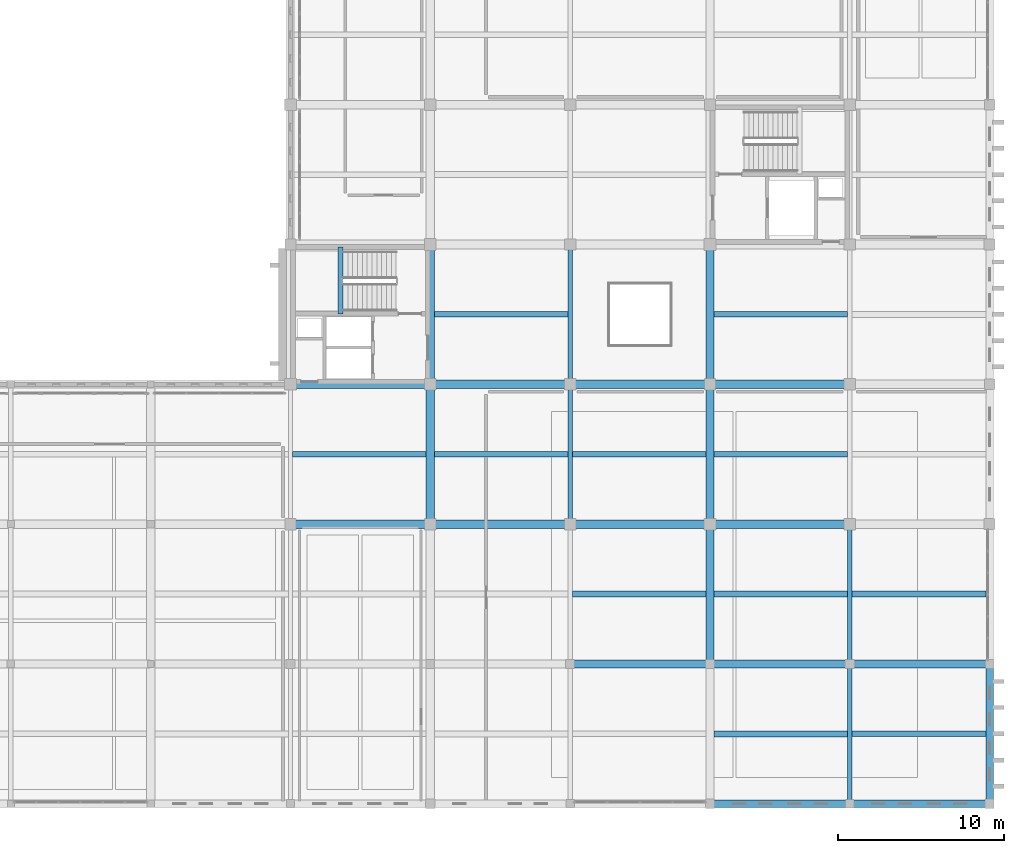
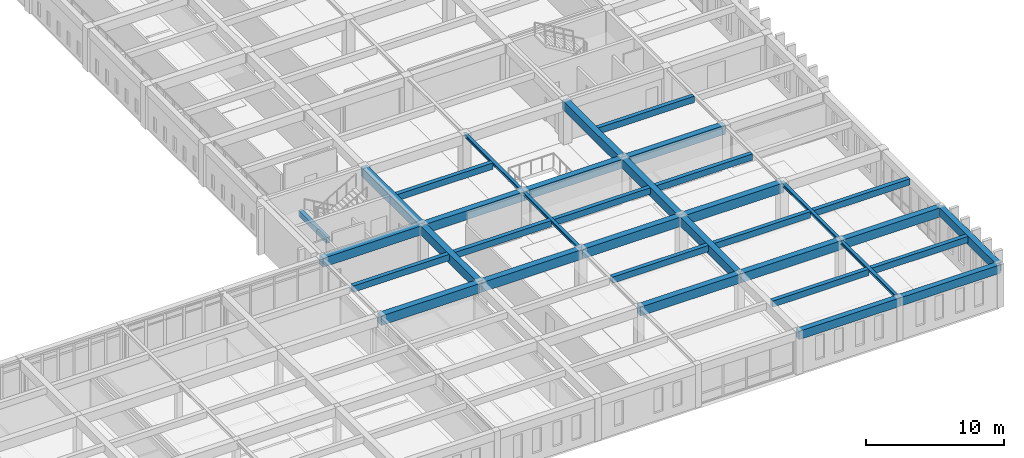
# One storey, part 45 of 110: 35 beams.
"""IFC4 building model written with IfcOpenShell, lengths in metres."""

from ifc_helpers import new_model, si_unit, direction, frame, origin, origin_2d, place, context, subcontext, project, spatial, rectangle, i_section, extrude, material, material_profile, profile_set, type_object, element, save


model = new_model("IFC4")

# Units and contexts
model_context = context("Model", 3, precision=1e-05, world=origin(), true_north=direction((0.0, 1.0)))
body_context = subcontext(model_context, "Body", "Model", "MODEL_VIEW")
ifc_project = project(units=[si_unit("LENGTHUNIT", "METRE"), si_unit("AREAUNIT", "SQUARE_METRE"), si_unit("VOLUMEUNIT", "CUBIC_METRE"), si_unit("PLANEANGLEUNIT", "RADIAN"), si_unit("MASSUNIT", "GRAM", prefix="KILO")], contexts=[model_context])

# Site, building, storey
site_placement = place(None, origin())
site = spatial("IfcSite", under=ifc_project, at=site_placement, CompositionType="ELEMENT")
building_placement = place(site_placement, origin())
building = spatial("IfcBuilding", under=site, at=building_placement, Name="Kveldsbrygga Polytechnic", CompositionType="ELEMENT")
storey_placement = place(building_placement, frame((0.0, 0.0, 9.860107421875)))
storey = spatial("IfcBuildingStorey", under=building, at=storey_placement, Name="L02", CompositionType="ELEMENT", Elevation=9.860107421875)

# Beams
ifc_material_1 = material(Name="Concrete C35/45", Category="concrete")
ifc_material_profile_1 = material_profile(ifc_material_1, rectangle(XDim=0.449951171875, YDim=0.75, at=origin_2d()), Name="RC 450x750")
ifc_profile_set_1 = profile_set([ifc_material_profile_1], Name="Concrete C35/45")
beam_type_1 = type_object("IfcBeamType", Name="BM-RC-450x750", PredefinedType="BEAM", material=ifc_profile_set_1)
beam_1_placement = place(storey_placement, frame((168.0, 0.0, 3.375), z_axis=(0.0, 1.0, 0.0), x_axis=(-1.0, 0.0, 0.0)))
element("IfcBeam", 1, at=beam_1_placement, inside=storey, type_object=beam_type_1, Name="Primary Beam BMY-L02-20-00to01", PredefinedType="BEAM", context=body_context, shape_type="SweptSolid", body=[
    extrude(rectangle(XDim=0.449951171875, YDim=0.75, at=origin_2d()), origin(), (0.0, 0.0, 1.0), 8.39990234375),
])
ifc_material_profile_2 = material_profile(ifc_material_1, rectangle(XDim=0.4599609375, YDim=0.739990234375, at=origin_2d()), Name="RC 460x740")
ifc_profile_set_2 = profile_set([ifc_material_profile_2], Name="Concrete C35/45")
beam_type_2 = type_object("IfcBeamType", Name="BM-RC-460x740", PredefinedType="BEAM", material=ifc_profile_set_2)
beam_2_placement = place(storey_placement, frame((151.199951171875, 0.0, 3.3798828125), z_axis=(1.0, 0.0, 0.0), x_axis=(0.0, 1.0, 0.0)))
element("IfcBeam", 2, at=beam_2_placement, inside=storey, type_object=beam_type_2, Name="Primary Beam BMX-L02-18to19-00", PredefinedType="BEAM", context=body_context, shape_type="SweptSolid", body=[
    extrude(rectangle(XDim=0.4599609375, YDim=0.739990234375, at=origin_2d()), origin(), (0.0, 0.0, 1.0), 8.400146484375),
])
beam_3_placement = place(storey_placement, frame((159.60009765625, 0.0, 3.3798828125), z_axis=(1.0, 0.0, 0.0), x_axis=(0.0, 1.0, 0.0)))
element("IfcBeam", 3, at=beam_3_placement, inside=storey, type_object=beam_type_2, Name="Primary Beam BMX-L02-19to20-00", PredefinedType="BEAM", context=body_context, shape_type="SweptSolid", body=[
    extrude(rectangle(XDim=0.4599609375, YDim=0.739990234375, at=origin_2d()), origin(), (0.0, 0.0, 1.0), 8.39990234375),
])
ifc_material_profile_3 = material_profile(ifc_material_1, rectangle(XDim=0.5, YDim=0.800048828125, at=origin_2d()), Name="RC 500x800")
ifc_profile_set_3 = profile_set([ifc_material_profile_3], Name="Concrete C35/45")
beam_type_3 = type_object("IfcBeamType", Name="BM-RC-500x800", PredefinedType="BEAM", material=ifc_profile_set_3)
beam_4_placement = place(storey_placement, frame((142.800048828125, 8.39990234375, 3.349853515625), z_axis=(1.0, 0.0, 0.0), x_axis=(0.0, 1.0, 0.0)))
element("IfcBeam", 4, at=beam_4_placement, inside=storey, type_object=beam_type_3, Name="Primary Beam BMX-L02-17to18-01", PredefinedType="BEAM", context=body_context, shape_type="SweptSolid", body=[
    extrude(rectangle(XDim=0.5, YDim=0.800048828125, at=origin_2d()), origin(), (0.0, 0.0, 1.0), 8.39990234375),
])
beam_5_placement = place(storey_placement, frame((151.199951171875, 8.39990234375, 3.349853515625), z_axis=(1.0, 0.0, 0.0), x_axis=(0.0, 1.0, 0.0)))
element("IfcBeam", 5, at=beam_5_placement, inside=storey, type_object=beam_type_3, Name="Primary Beam BMX-L02-18to19-01", PredefinedType="BEAM", context=body_context, shape_type="SweptSolid", body=[
    extrude(rectangle(XDim=0.5, YDim=0.800048828125, at=origin_2d()), origin(), (0.0, 0.0, 1.0), 8.400146484375),
])
for number, where, z_axis, x_axis, name in (
    (6, (159.60009765625, 8.39990234375, 3.349853515625), (1.0, 0.0, 0.0), (0.0, 1.0, 0.0), "Primary Beam BMX-L02-19to20-01"),
    (7, (126.0, 25.199951171875, 3.349853515625), (1.0, 0.0, 0.0), (0.0, 1.0, 0.0), "Primary Beam BMX-L02-15to16-03"),
):
    element("IfcBeam", number, at=place(storey_placement, frame(where, z_axis=z_axis, x_axis=x_axis)), inside=storey, type_object=beam_type_3, Name=name, PredefinedType="BEAM", context=body_context, shape_type="SweptSolid", body=[
        extrude(rectangle(XDim=0.5, YDim=0.800048828125, at=origin_2d()), origin(), (0.0, 0.0, 1.0), 8.39990234375),
    ])
beam_6_placement = place(storey_placement, frame((134.39990234375, 25.199951171875, 3.349853515625), z_axis=(1.0, 0.0, 0.0), x_axis=(0.0, 1.0, 0.0)))
element("IfcBeam", 8, at=beam_6_placement, inside=storey, type_object=beam_type_3, Name="Primary Beam BMX-L02-16to17-03", PredefinedType="BEAM", context=body_context, shape_type="SweptSolid", body=[
    extrude(rectangle(XDim=0.5, YDim=0.800048828125, at=origin_2d()), origin(), (0.0, 0.0, 1.0), 8.400146484375),
])
beam_7_placement = place(storey_placement, frame((142.800048828125, 25.199951171875, 3.349853515625), z_axis=(1.0, 0.0, 0.0), x_axis=(0.0, 1.0, 0.0)))
element("IfcBeam", 9, at=beam_7_placement, inside=storey, type_object=beam_type_3, Name="Primary Beam BMX-L02-17to18-03", PredefinedType="BEAM", context=body_context, shape_type="SweptSolid", body=[
    extrude(rectangle(XDim=0.5, YDim=0.800048828125, at=origin_2d()), origin(), (0.0, 0.0, 1.0), 8.39990234375),
])
beam_8_placement = place(storey_placement, frame((151.199951171875, 25.199951171875, 3.349853515625), z_axis=(1.0, 0.0, 0.0), x_axis=(0.0, 1.0, 0.0)))
element("IfcBeam", 10, at=beam_8_placement, inside=storey, type_object=beam_type_3, Name="Primary Beam BMX-L02-18to19-03", PredefinedType="BEAM", context=body_context, shape_type="SweptSolid", body=[
    extrude(rectangle(XDim=0.5, YDim=0.800048828125, at=origin_2d()), origin(), (0.0, 0.0, 1.0), 8.400146484375),
])
beam_9_placement = place(storey_placement, frame((134.39990234375, 16.800048828125, 3.349853515625), z_axis=(0.0, 1.0, 0.0), x_axis=(-1.0, 0.0, 0.0)))
element("IfcBeam", 11, at=beam_9_placement, inside=storey, type_object=beam_type_3, Name="Primary Beam BMY-L02-16-02to03", PredefinedType="BEAM", context=body_context, shape_type="SweptSolid", body=[
    extrude(rectangle(XDim=0.5, YDim=0.800048828125, at=origin_2d()), origin(), (0.0, 0.0, 1.0), 8.39990234375),
])
for number, where, z_axis, x_axis, name in (
    (12, (134.39990234375, 25.199951171875, 3.349853515625), (0.0, 1.0, 0.0), (-1.0, 0.0, 0.0), "Primary Beam BMY-L02-16-03to04"),
    (13, (151.199951171875, 8.39990234375, 3.349853515625), (0.0, 1.0, 0.0), (-1.0, 0.0, 0.0), "Primary Beam BMY-L02-18-01to02"),
):
    element("IfcBeam", number, at=place(storey_placement, frame(where, z_axis=z_axis, x_axis=x_axis)), inside=storey, type_object=beam_type_3, Name=name, PredefinedType="BEAM", context=body_context, shape_type="SweptSolid", body=[
        extrude(rectangle(XDim=0.5, YDim=0.800048828125, at=origin_2d()), origin(), (0.0, 0.0, 1.0), 8.400146484375),
    ])
beam_10_placement = place(storey_placement, frame((151.199951171875, 16.800048828125, 3.349853515625), z_axis=(0.0, 1.0, 0.0), x_axis=(-1.0, 0.0, 0.0)))
element("IfcBeam", 14, at=beam_10_placement, inside=storey, type_object=beam_type_3, Name="Primary Beam BMY-L02-18-02to03", PredefinedType="BEAM", context=body_context, shape_type="SweptSolid", body=[
    extrude(rectangle(XDim=0.5, YDim=0.800048828125, at=origin_2d()), origin(), (0.0, 0.0, 1.0), 8.39990234375),
])
beam_11_placement = place(storey_placement, frame((151.199951171875, 25.199951171875, 3.349853515625), z_axis=(0.0, 1.0, 0.0), x_axis=(-1.0, 0.0, 0.0)))
element("IfcBeam", 15, at=beam_11_placement, inside=storey, type_object=beam_type_3, Name="Primary Beam BMY-L02-18-03to04", PredefinedType="BEAM", context=body_context, shape_type="SweptSolid", body=[
    extrude(rectangle(XDim=0.5, YDim=0.800048828125, at=origin_2d()), origin(), (0.0, 0.0, 1.0), 8.400146484375),
])
ifc_material_profile_4 = material_profile(ifc_material_1, rectangle(XDim=0.52001953125, YDim=0.840087890625, at=origin_2d()), Name="RC 520x840")
ifc_profile_set_4 = profile_set([ifc_material_profile_4], Name="Concrete C35/45")
beam_type_4 = type_object("IfcBeamType", Name="BM-RC-520x840", PredefinedType="BEAM", material=ifc_profile_set_4)
beam_12_placement = place(storey_placement, frame((126.0, 16.800048828125, 3.329833984375), z_axis=(1.0, 0.0, 0.0), x_axis=(0.0, 1.0, 0.0)))
element("IfcBeam", 16, at=beam_12_placement, inside=storey, type_object=beam_type_4, Name="Primary Beam BMX-L02-15to16-02", PredefinedType="BEAM", context=body_context, shape_type="SweptSolid", body=[
    extrude(rectangle(XDim=0.52001953125, YDim=0.840087890625, at=origin_2d()), origin(), (0.0, 0.0, 1.0), 8.39990234375),
])
beam_13_placement = place(storey_placement, frame((134.39990234375, 16.800048828125, 3.329833984375), z_axis=(1.0, 0.0, 0.0), x_axis=(0.0, 1.0, 0.0)))
element("IfcBeam", 17, at=beam_13_placement, inside=storey, type_object=beam_type_4, Name="Primary Beam BMX-L02-16to17-02", PredefinedType="BEAM", context=body_context, shape_type="SweptSolid", body=[
    extrude(rectangle(XDim=0.52001953125, YDim=0.840087890625, at=origin_2d()), origin(), (0.0, 0.0, 1.0), 8.400146484375),
])
beam_14_placement = place(storey_placement, frame((142.800048828125, 16.800048828125, 3.329833984375), z_axis=(1.0, 0.0, 0.0), x_axis=(0.0, 1.0, 0.0)))
element("IfcBeam", 18, at=beam_14_placement, inside=storey, type_object=beam_type_4, Name="Primary Beam BMX-L02-17to18-02", PredefinedType="BEAM", context=body_context, shape_type="SweptSolid", body=[
    extrude(rectangle(XDim=0.52001953125, YDim=0.840087890625, at=origin_2d()), origin(), (0.0, 0.0, 1.0), 8.39990234375),
])
beam_15_placement = place(storey_placement, frame((151.199951171875, 16.800048828125, 3.329833984375), z_axis=(1.0, 0.0, 0.0), x_axis=(0.0, 1.0, 0.0)))
element("IfcBeam", 19, at=beam_15_placement, inside=storey, type_object=beam_type_4, Name="Primary Beam BMX-L02-18to19-02", PredefinedType="BEAM", context=body_context, shape_type="SweptSolid", body=[
    extrude(rectangle(XDim=0.52001953125, YDim=0.840087890625, at=origin_2d()), origin(), (0.0, 0.0, 1.0), 8.400146484375),
])
ifc_material_2 = material(Name="Steel S355", Category="steel")
ifc_material_profile_5 = material_profile(ifc_material_2, i_section(OverallWidth=0.260009765625, OverallDepth=0.260009765625, WebThickness=0.010009765625, FlangeThickness=0.017578125, FilletRadius=0.02392578125, at=origin_2d()), Name="HEB 260")
ifc_profile_set_5 = profile_set([ifc_material_profile_5], Name="Steel S355")
beam_type_5 = type_object("IfcBeamType", Name="BM-STL-HEB260", PredefinedType="BEAM", material=ifc_profile_set_5)
beam_16_placement = place(storey_placement, frame((142.800048828125, 16.800048828125, 3.619873046875), z_axis=(0.0, 1.0, 0.0), x_axis=(-1.0, 0.0, 0.0)))
element("IfcBeam", 20, at=beam_16_placement, inside=storey, type_object=beam_type_5, Name="Primary Beam BMY-L02-17-02to03", PredefinedType="BEAM", context=body_context, shape_type="SweptSolid", body=[
    extrude(i_section(OverallWidth=0.260009765625, OverallDepth=0.260009765625, WebThickness=0.010009765625, FlangeThickness=0.017578125, FilletRadius=0.02392578125, at=origin_2d()), origin(), (0.0, 0.0, 1.0), 8.39990234375),
])
beam_17_placement = place(storey_placement, frame((142.800048828125, 25.199951171875, 3.619873046875), z_axis=(0.0, 1.0, 0.0), x_axis=(-1.0, 0.0, 0.0)))
element("IfcBeam", 21, at=beam_17_placement, inside=storey, type_object=beam_type_5, Name="Primary Beam BMY-L02-17-03to04", PredefinedType="BEAM", context=body_context, shape_type="SweptSolid", body=[
    extrude(i_section(OverallWidth=0.260009765625, OverallDepth=0.260009765625, WebThickness=0.010009765625, FlangeThickness=0.017578125, FilletRadius=0.02392578125, at=origin_2d()), origin(), (0.0, 0.0, 1.0), 8.400146484375),
])
beam_18_placement = place(storey_placement, frame((159.60009765625, 0.0, 3.619873046875), z_axis=(0.0, 1.0, 0.0), x_axis=(-1.0, 0.0, 0.0)))
element("IfcBeam", 22, at=beam_18_placement, inside=storey, type_object=beam_type_5, Name="Primary Beam BMY-L02-19-00to01", PredefinedType="BEAM", context=body_context, shape_type="SweptSolid", body=[
    extrude(i_section(OverallWidth=0.260009765625, OverallDepth=0.260009765625, WebThickness=0.010009765625, FlangeThickness=0.017578125, FilletRadius=0.02392578125, at=origin_2d()), origin(), (0.0, 0.0, 1.0), 8.39990234375),
])
beam_19_placement = place(storey_placement, frame((159.60009765625, 8.39990234375, 3.619873046875), z_axis=(0.0, 1.0, 0.0), x_axis=(-1.0, 0.0, 0.0)))
element("IfcBeam", 23, at=beam_19_placement, inside=storey, type_object=beam_type_5, Name="Primary Beam BMY-L02-19-01to02", PredefinedType="BEAM", context=body_context, shape_type="SweptSolid", body=[
    extrude(i_section(OverallWidth=0.260009765625, OverallDepth=0.260009765625, WebThickness=0.010009765625, FlangeThickness=0.017578125, FilletRadius=0.02392578125, at=origin_2d()), origin(), (0.0, 0.0, 1.0), 8.400146484375),
])
ifc_material_profile_6 = material_profile(ifc_material_1, rectangle(XDim=0.340087890625, YDim=0.56005859375, at=origin_2d()), Name="RC 340x560")
ifc_profile_set_6 = profile_set([ifc_material_profile_6], Name="Concrete C35/45")
beam_type_6 = type_object("IfcBeamType", Name="JST-RC-340x560", PredefinedType="JOIST", material=ifc_profile_set_6)
for number, where, z_axis, x_axis, name in (
    (24, (126.1298828125, 21.0, 3.469970703125), (1.0, 0.0, 0.0), (0.0, 1.0, 0.0), "Secondary Joist JST-L02-15-02"),
    (25, (134.64990234375, 29.39990234375, 3.469970703125), (1.0, 0.0, 0.0), (0.0, 1.0, 0.0), "Secondary Joist JST-L02-16-03"),
    (26, (142.929931640625, 21.0, 3.469970703125), (1.0, 0.0, 0.0), (0.0, 1.0, 0.0), "Secondary Joist JST-L02-17-02"),
    (27, (151.449951171875, 12.60009765625, 3.469970703125), (1.0, 0.0, 0.0), (0.0, 1.0, 0.0), "Secondary Joist JST-L02-18-01"),
    (28, (151.449951171875, 29.39990234375, 3.469970703125), (1.0, 0.0, 0.0), (0.0, 1.0, 0.0), "Secondary Joist JST-L02-18-03"),
):
    element("IfcBeam", number, at=place(storey_placement, frame(where, z_axis=z_axis, x_axis=x_axis)), inside=storey, type_object=beam_type_6, Name=name, PredefinedType="JOIST", context=body_context, shape_type="SweptSolid", body=[
        extrude(rectangle(XDim=0.340087890625, YDim=0.56005859375, at=origin_2d()), origin(), (0.0, 0.0, 1.0), 8.02001953125),
    ])
beam_20_placement = place(storey_placement, frame((159.72998046875, 4.199951171875, 3.469970703125), z_axis=(1.0, 0.0, 0.0), x_axis=(0.0, 1.0, 0.0)))
element("IfcBeam", 29, at=beam_20_placement, inside=storey, type_object=beam_type_6, Name="Secondary Joist JST-L02-19-00", PredefinedType="JOIST", context=body_context, shape_type="SweptSolid", body=[
    extrude(rectangle(XDim=0.340087890625, YDim=0.56005859375, at=origin_2d()), origin(), (0.0, 0.0, 1.0), 8.044921875),
])
ifc_material_profile_7 = material_profile(ifc_material_1, rectangle(XDim=0.35009765625, YDim=0.550048828125, at=origin_2d()), Name="RC 350x550")
ifc_profile_set_7 = profile_set([ifc_material_profile_7], Name="Concrete C35/45")
beam_type_7 = type_object("IfcBeamType", Name="JST-RC-350x550", PredefinedType="JOIST", material=ifc_profile_set_7)
for number, where, z_axis, x_axis, name in (
    (30, (134.64990234375, 21.0, 3.474853515625), (1.0, 0.0, 0.0), (0.0, 1.0, 0.0), "Secondary Joist JST-L02-16-02"),
    (31, (142.929931640625, 12.60009765625, 3.474853515625), (1.0, 0.0, 0.0), (0.0, 1.0, 0.0), "Secondary Joist JST-L02-17-01"),
    (32, (151.449951171875, 4.199951171875, 3.474853515625), (1.0, 0.0, 0.0), (0.0, 1.0, 0.0), "Secondary Joist JST-L02-18-00"),
    (33, (151.449951171875, 21.0, 3.474853515625), (1.0, 0.0, 0.0), (0.0, 1.0, 0.0), "Secondary Joist JST-L02-18-02"),
):
    element("IfcBeam", number, at=place(storey_placement, frame(where, z_axis=z_axis, x_axis=x_axis)), inside=storey, type_object=beam_type_7, Name=name, PredefinedType="JOIST", context=body_context, shape_type="SweptSolid", body=[
        extrude(rectangle(XDim=0.35009765625, YDim=0.550048828125, at=origin_2d()), origin(), (0.0, 0.0, 1.0), 8.02001953125),
    ])
beam_21_placement = place(storey_placement, frame((159.72998046875, 12.60009765625, 3.474853515625), z_axis=(1.0, 0.0, 0.0), x_axis=(0.0, 1.0, 0.0)))
element("IfcBeam", 34, at=beam_21_placement, inside=storey, type_object=beam_type_7, Name="Secondary Joist JST-L02-19-01", PredefinedType="JOIST", context=body_context, shape_type="SweptSolid", body=[
    extrude(rectangle(XDim=0.35009765625, YDim=0.550048828125, at=origin_2d()), origin(), (0.0, 0.0, 1.0), 8.044921875),
])
ifc_material_profile_8 = material_profile(ifc_material_1, rectangle(XDim=0.300048828125, YDim=0.5, at=origin_2d()), Name="RC 300x500")
ifc_profile_set_8 = profile_set([ifc_material_profile_8], Name="Concrete C35/45")
beam_type_8 = type_object("IfcBeamType", Name="LNT-RC-300x500", PredefinedType="LINTEL", material=ifc_profile_set_8)
beam_22_placement = place(storey_placement, frame((129.010009765625, 29.429931640625, 1.58984375), z_axis=(0.0, 1.0, 0.0), x_axis=(-1.0, 0.0, 0.0)))
element("IfcBeam", 35, at=beam_22_placement, inside=storey, type_object=beam_type_8, Name="Stair Landing Support Beam C1-L02-LNDB-1-1", PredefinedType="LINTEL", context=body_context, shape_type="SweptSolid", body=[
    extrude(rectangle(XDim=0.300048828125, YDim=0.5, at=origin_2d()), origin(), (0.0, 0.0, 1.0), 4.02001953125),
])

save(model, "model.ifc")
